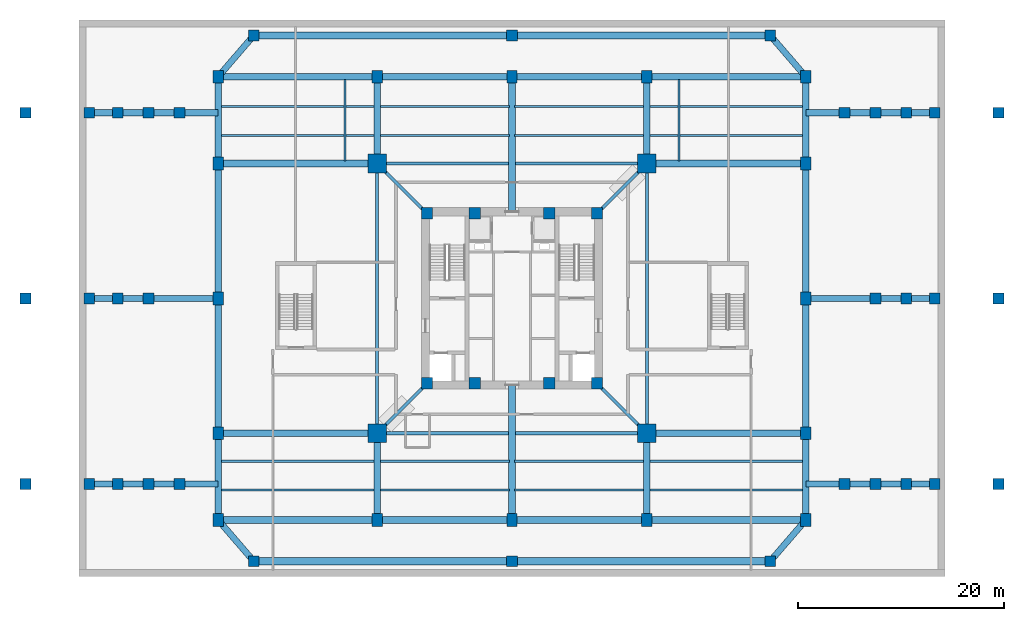
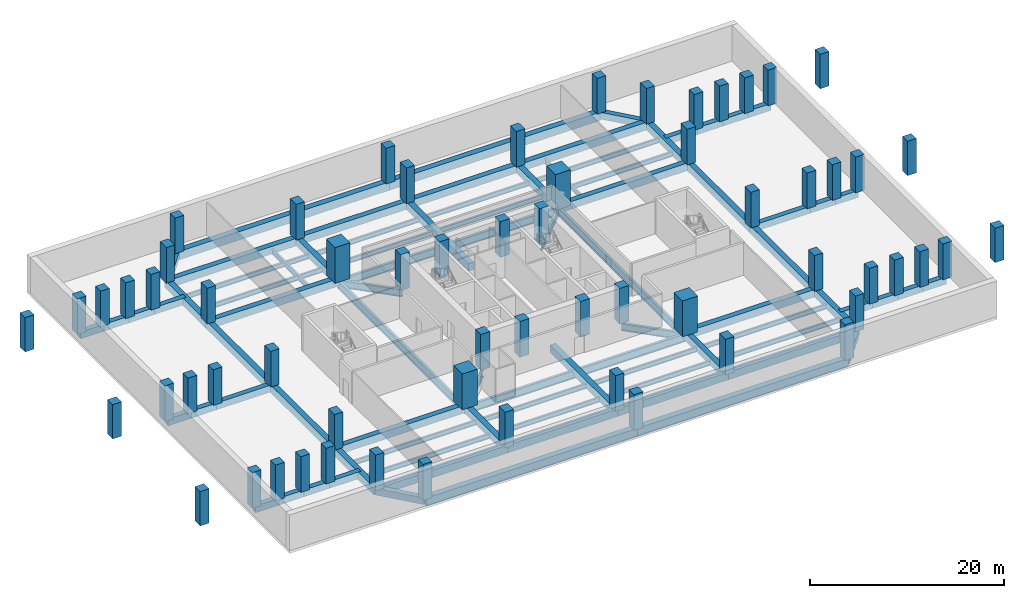
# One storey, part 1 of 9: 82 beams, 62 columns.
"""IFC4 building model written with IfcOpenShell, lengths in metres."""

from ifc_helpers import new_model, si_unit, direction, frame, origin, origin_2d, place, context, subcontext, project, spatial, rectangle, i_section, extrude, source, transform, mapped, material, material_profile, profile_set, type_object, element, save


model = new_model("IFC4")

# Units and contexts
model_context = context("Model", 3, precision=1e-05, world=origin(), true_north=direction((0.0, 1.0)))
body_context = subcontext(model_context, "Body", "Model", "MODEL_VIEW")
ifc_project = project(units=[si_unit("LENGTHUNIT", "METRE"), si_unit("AREAUNIT", "SQUARE_METRE"), si_unit("VOLUMEUNIT", "CUBIC_METRE"), si_unit("PLANEANGLEUNIT", "RADIAN"), si_unit("MASSUNIT", "GRAM", prefix="KILO"), si_unit("THERMODYNAMICTEMPERATUREUNIT", "KELVIN")], contexts=[model_context])

# Site, building, storey
site_placement = place(None, origin())
site = spatial("IfcSite", under=ifc_project, at=site_placement, CompositionType="ELEMENT")
building_placement = place(site_placement, origin())
building = spatial("IfcBuilding", under=site, at=building_placement, Name="Kosmvard Interchange Tower", CompositionType="ELEMENT")
storey_placement = place(building_placement, frame((0.0, 0.0, -4.5)))
storey = spatial("IfcBuildingStorey", under=building, at=storey_placement, Name="B01", CompositionType="ELEMENT", Elevation=-4.5)

# Columns
ifc_material_1 = material(Name="Concrete C60/75", Category="concrete")
ifc_material_profile_1 = material_profile(ifc_material_1, rectangle(XDim=1.050048828125, YDim=1.050048828125, at=origin_2d()), Name="PC 1050x1050")
ifc_profile_set_1 = profile_set([ifc_material_profile_1], Name="Concrete C60/75")
column_type_1 = type_object("IfcColumnType", Name="Podium Perimeter Column 1050x1050 C60/75", PredefinedType="COLUMN", material=ifc_profile_set_1)
shared_shape_1 = source(origin(), body_context, "Body", "SweptSolid", [
    extrude(rectangle(XDim=1.050048828125, YDim=1.050048828125, at=origin_2d()), origin(), (0.0, 0.0, 1.0), 4.5),
])
for number, where, z_axis, x_axis, name in (
    (1, (-25.050048828125, -25.5, 0.0), (0.0, 0.0, 1.0), (1.0, 0.0, 0.0), "B01 Podium Column PC-TS1"),
    (2, (0.0, -25.5, 0.0), (0.0, 0.0, 1.0), (1.0, 0.0, 0.0), "B01 Podium Column PC-TS2"),
    (3, (25.050048828125, -25.5, 0.0), (0.0, 0.0, 1.0), (1.0, 0.0, 0.0), "B01 Podium Column PC-TS3"),
    (4, (-25.050048828125, 25.5, 0.0), (0.0, 0.0, 1.0), (1.0, 0.0, 0.0), "B01 Podium Column PC-TN1"),
    (5, (0.0, 25.5, 0.0), (0.0, 0.0, 1.0), (1.0, 0.0, 0.0), "B01 Podium Column PC-TN2"),
    (6, (25.050048828125, 25.5, 0.0), (0.0, 0.0, 1.0), (1.0, 0.0, 0.0), "B01 Podium Column PC-TN3"),
    (7, (-32.25, -18.0, 0.0), (0.0, 0.0, 1.0), (1.0, 0.0, 0.0), "B01 Podium Column PC-TW3"),
    (8, (-32.25, 18.0, 0.0), (0.0, 0.0, 1.0), (1.0, 0.0, 0.0), "B01 Podium Column PC-TW4"),
    (9, (32.25, -18.0, 0.0), (0.0, 0.0, 1.0), (1.0, 0.0, 0.0), "B01 Podium Column PC-TE3"),
    (10, (32.25, 18.0, 0.0), (0.0, 0.0, 1.0), (1.0, 0.0, 0.0), "B01 Podium Column PC-TE4"),
    (11, (-35.25, -18.0, 0.0), (0.0, 0.0, 1.0), (1.0, 0.0, 0.0), "B01 Podium Column PC-TW2"),
    (12, (-35.25, 0.0, 0.0), (0.0, 0.0, 1.0), (1.0, 0.0, 0.0), "B01 Podium Column PC-TW5"),
    (13, (-35.25, 18.0, 0.0), (0.0, 0.0, 1.0), (1.0, 0.0, 0.0), "B01 Podium Column PC-TW6"),
    (14, (35.25, -18.0, 0.0), (0.0, 0.0, 1.0), (1.0, 0.0, 0.0), "B01 Podium Column PC-TE2"),
    (15, (35.25, 0.0, 0.0), (0.0, 0.0, 1.0), (1.0, 0.0, 0.0), "B01 Podium Column PC-TE5"),
    (16, (35.25, 18.0, 0.0), (0.0, 0.0, 1.0), (1.0, 0.0, 0.0), "B01 Podium Column PC-TE6"),
    (17, (-38.25, -18.0, 0.0), (0.0, 0.0, 1.0), (1.0, 0.0, 0.0), "B01 Podium Column PC-TW1"),
    (18, (-38.25, 0.0, 0.0), (0.0, 0.0, 1.0), (1.0, 0.0, 0.0), "B01 Podium Column PC-TW7"),
    (19, (-38.25, 18.0, 0.0), (0.0, 0.0, 1.0), (1.0, 0.0, 0.0), "B01 Podium Column PC-TW8"),
    (20, (38.25, -18.0, 0.0), (0.0, 0.0, 1.0), (1.0, 0.0, 0.0), "B01 Podium Column PC-TE1"),
    (21, (38.25, 0.0, 0.0), (0.0, 0.0, 1.0), (1.0, 0.0, 0.0), "B01 Podium Column PC-TE7"),
    (22, (38.25, 18.0, 0.0), (0.0, 0.0, 1.0), (1.0, 0.0, 0.0), "B01 Podium Column PC-TE8"),
    (23, (-41.0, -18.0, 0.0), (0.0, 0.0, 1.0), (1.0, 0.0, 0.0), "B01 Podium Column PC-BW1"),
    (24, (-41.0, 0.0, 0.0), (0.0, 0.0, 1.0), (1.0, 0.0, 0.0), "B01 Podium Column PC-BW2"),
    (25, (-41.0, 18.0, 0.0), (0.0, 0.0, 1.0), (1.0, 0.0, 0.0), "B01 Podium Column PC-BW3"),
    (26, (41.0, -18.0, 0.0), (0.0, 0.0, 1.0), (1.0, 0.0, 0.0), "B01 Podium Column PC-BE1"),
    (27, (41.0, 0.0, 0.0), (0.0, 0.0, 1.0), (1.0, 0.0, 0.0), "B01 Podium Column PC-BE2"),
    (28, (41.0, 18.0, 0.0), (0.0, 0.0, 1.0), (1.0, 0.0, 0.0), "B01 Podium Column PC-BE3"),
):
    element("IfcColumn", number, at=place(storey_placement, frame(where, z_axis=z_axis, x_axis=x_axis)), inside=storey, type_object=column_type_1, Name=name, PredefinedType="COLUMN", context=body_context, shape_type="MappedRepresentation", body=[
        mapped(shared_shape_1, transform((0.0, 0.0, 0.0), scale=1.0)),
    ])
ifc_material_2 = material(Name="Concrete C80/95", Category="concrete")
ifc_material_profile_2 = material_profile(ifc_material_2, rectangle(XDim=1.10009765625, YDim=1.10009765625, at=origin_2d()), Name="CP 1100x1100")
ifc_profile_set_2 = profile_set([ifc_material_profile_2], Name="Concrete C80/95")
column_type_2 = type_object("IfcColumnType", Name="Core Boundary Pilaster 1100x1100 C80/95", PredefinedType="PILASTER", material=ifc_profile_set_2)
shared_shape_2 = source(origin(), body_context, "Body", "SweptSolid", [
    extrude(rectangle(XDim=1.10009765625, YDim=1.10009765625, at=origin_2d()), origin(), (0.0, 0.0, 1.0), 4.5),
])
for number, where, z_axis, x_axis, name in (
    (29, (-8.25, -8.25, 0.0), (0.0, 0.0, 1.0), (1.0, 0.0, 0.0), "B01 Core Pilaster CP1"),
    (30, (8.25, -8.25, 0.0), (0.0, 0.0, 1.0), (1.0, 0.0, 0.0), "B01 Core Pilaster CP2"),
    (31, (8.25, 8.25, 0.0), (0.0, 0.0, 1.0), (1.0, 0.0, 0.0), "B01 Core Pilaster CP3"),
    (32, (-8.25, 8.25, 0.0), (0.0, 0.0, 1.0), (1.0, 0.0, 0.0), "B01 Core Pilaster CP4"),
    (33, (-3.60009765625, -8.25, 0.0), (0.0, 0.0, 1.0), (1.0, 0.0, 0.0), "B01 Core Pilaster CP5"),
    (34, (3.60009765625, -8.25, 0.0), (0.0, 0.0, 1.0), (1.0, 0.0, 0.0), "B01 Core Pilaster CP6"),
    (35, (-3.60009765625, 8.25, 0.0), (0.0, 0.0, 1.0), (1.0, 0.0, 0.0), "B01 Core Pilaster CP7"),
    (36, (3.60009765625, 8.25, 0.0), (0.0, 0.0, 1.0), (1.0, 0.0, 0.0), "B01 Core Pilaster CP8"),
):
    element("IfcColumn", number, at=place(storey_placement, frame(where, z_axis=z_axis, x_axis=x_axis)), inside=storey, type_object=column_type_2, Name=name, PredefinedType="PILASTER", context=body_context, shape_type="MappedRepresentation", body=[
        mapped(shared_shape_2, transform((0.0, 0.0, 0.0), scale=1.0)),
    ])
ifc_material_profile_3 = material_profile(ifc_material_2, rectangle(XDim=1.800048828125, YDim=1.800048828125, at=origin_2d()), Name="MC 1800x1800")
ifc_profile_set_3 = profile_set([ifc_material_profile_3], Name="Concrete C80/95")
column_type_3 = type_object("IfcColumnType", Name="Composite Mega-Column 1800x1800 C80/95", PredefinedType="COLUMN", material=ifc_profile_set_3)
shared_shape_3 = source(origin(), body_context, "Body", "SweptSolid", [
    extrude(rectangle(XDim=1.800048828125, YDim=1.800048828125, at=origin_2d()), origin(), (0.0, 0.0, 1.0), 4.5),
])
for number, where, z_axis, x_axis, name in (
    (37, (-13.0810546875, -13.0810546875, 0.0), (0.0, 0.0, 1.0), (1.0, 0.0, 0.0), "B01 Corner Mega-Column MC1"),
    (38, (13.0810546875, -13.0810546875, 0.0), (0.0, 0.0, 1.0), (1.0, 0.0, 0.0), "B01 Corner Mega-Column MC2"),
    (39, (13.0810546875, 13.0810546875, 0.0), (0.0, 0.0, 1.0), (1.0, 0.0, 0.0), "B01 Corner Mega-Column MC3"),
    (40, (-13.0810546875, 13.0810546875, 0.0), (0.0, 0.0, 1.0), (1.0, 0.0, 0.0), "B01 Corner Mega-Column MC4"),
):
    element("IfcColumn", number, at=place(storey_placement, frame(where, z_axis=z_axis, x_axis=x_axis)), inside=storey, type_object=column_type_3, Name=name, PredefinedType="COLUMN", context=body_context, shape_type="MappedRepresentation", body=[
        mapped(shared_shape_3, transform((0.0, 0.0, 0.0), scale=1.0)),
    ])
ifc_material_profile_4 = material_profile(ifc_material_1, rectangle(XDim=1.0, YDim=1.25, at=origin_2d()), Name="PC 1250x1000")
ifc_profile_set_4 = profile_set([ifc_material_profile_4], Name="Concrete C60/75")
column_type_4 = type_object("IfcColumnType", Name="Podium Concourse Column 1250x1000 C60/75", PredefinedType="COLUMN", material=ifc_profile_set_4)
shared_shape_4 = source(origin(), body_context, "Body", "SweptSolid", [
    extrude(rectangle(XDim=1.0, YDim=1.25, at=origin_2d()), origin(), (0.0, 0.0, 1.0), 4.5),
])
for number, where, z_axis, x_axis, name in (
    (41, (-28.5, -21.5, 0.0), (0.0, 0.0, 1.0), (1.0, 0.0, 0.0), "B01 Podium Column PC-S1"),
    (42, (-13.0810546875, -21.5, 0.0), (0.0, 0.0, 1.0), (1.0, 0.0, 0.0), "B01 Podium Column PC-S2"),
    (43, (0.0, -21.5, 0.0), (0.0, 0.0, 1.0), (1.0, 0.0, 0.0), "B01 Podium Column PC-S3"),
    (44, (13.0810546875, -21.5, 0.0), (0.0, 0.0, 1.0), (1.0, 0.0, 0.0), "B01 Podium Column PC-S4"),
    (45, (28.5, -21.5, 0.0), (0.0, 0.0, 1.0), (1.0, 0.0, 0.0), "B01 Podium Column PC-S5"),
    (46, (-28.5, 21.5, 0.0), (0.0, 0.0, 1.0), (1.0, 0.0, 0.0), "B01 Podium Column PC-N1"),
    (47, (-13.0810546875, 21.5, 0.0), (0.0, 0.0, 1.0), (1.0, 0.0, 0.0), "B01 Podium Column PC-N2"),
    (48, (0.0, 21.5, 0.0), (0.0, 0.0, 1.0), (1.0, 0.0, 0.0), "B01 Podium Column PC-N3"),
    (49, (13.0810546875, 21.5, 0.0), (0.0, 0.0, 1.0), (1.0, 0.0, 0.0), "B01 Podium Column PC-N4"),
    (50, (28.5, 21.5, 0.0), (0.0, 0.0, 1.0), (1.0, 0.0, 0.0), "B01 Podium Column PC-N5"),
    (51, (-28.5, -13.0810546875, 0.0), (0.0, 0.0, 1.0), (1.0, 0.0, 0.0), "B01 Podium Column PC-W1"),
    (52, (-28.5, 0.0, 0.0), (0.0, 0.0, 1.0), (1.0, 0.0, 0.0), "B01 Podium Column PC-W2"),
    (53, (-28.5, 13.0810546875, 0.0), (0.0, 0.0, 1.0), (1.0, 0.0, 0.0), "B01 Podium Column PC-W3"),
    (54, (28.5, -13.0810546875, 0.0), (0.0, 0.0, 1.0), (1.0, 0.0, 0.0), "B01 Podium Column PC-E1"),
    (55, (28.5, 0.0, 0.0), (0.0, 0.0, 1.0), (1.0, 0.0, 0.0), "B01 Podium Column PC-E2"),
    (56, (28.5, 13.0810546875, 0.0), (0.0, 0.0, 1.0), (1.0, 0.0, 0.0), "B01 Podium Column PC-E3"),
):
    element("IfcColumn", number, at=place(storey_placement, frame(where, z_axis=z_axis, x_axis=x_axis)), inside=storey, type_object=column_type_4, Name=name, PredefinedType="COLUMN", context=body_context, shape_type="MappedRepresentation", body=[
        mapped(shared_shape_4, transform((0.0, 0.0, 0.0), scale=1.0)),
    ])
shared_shape_5 = source(origin(), body_context, "Body", "SweptSolid", [
    extrude(rectangle(XDim=1.050048828125, YDim=1.050048828125, at=origin_2d()), origin(), (0.0, 0.0, 1.0), 4.31005859375),
])
for number, where, z_axis, x_axis, name in (
    (57, (-47.199951171875, -18.0, 0.0), (0.0, 0.0, 1.0), (1.0, 0.0, 0.0), "B01 Plaza Foundation Pier PC-PW1"),
    (58, (-47.199951171875, 0.0, 0.0), (0.0, 0.0, 1.0), (1.0, 0.0, 0.0), "B01 Plaza Foundation Pier PC-PW2"),
    (59, (-47.199951171875, 18.0, 0.0), (0.0, 0.0, 1.0), (1.0, 0.0, 0.0), "B01 Plaza Foundation Pier PC-PW3"),
    (60, (47.199951171875, -18.0, 0.0), (0.0, 0.0, 1.0), (1.0, 0.0, 0.0), "B01 Plaza Foundation Pier PC-PE1"),
    (61, (47.199951171875, 0.0, 0.0), (0.0, 0.0, 1.0), (1.0, 0.0, 0.0), "B01 Plaza Foundation Pier PC-PE2"),
    (62, (47.199951171875, 18.0, 0.0), (0.0, 0.0, 1.0), (1.0, 0.0, 0.0), "B01 Plaza Foundation Pier PC-PE3"),
):
    element("IfcColumn", number, at=place(storey_placement, frame(where, z_axis=z_axis, x_axis=x_axis)), inside=storey, type_object=column_type_1, Name=name, PredefinedType="COLUMN", context=body_context, shape_type="MappedRepresentation", body=[
        mapped(shared_shape_5, transform((0.0, 0.0, 0.0), scale=1.0)),
    ])

# Beams
ifc_material_3 = material(Name="Steel S460", Category="steel")
ifc_material_profile_5 = material_profile(ifc_material_3, i_section(OverallWidth=0.30810546875, OverallDepth=0.909912109375, WebThickness=0.02099609375, FlangeThickness=0.0400390625, FilletRadius=0.027099609375, at=origin_2d()), Name="HEM 900")
ifc_profile_set_5 = profile_set([ifc_material_profile_5], Name="Steel S460")
beam_type_1 = type_object("IfcBeamType", Name="Primary Mega-Frame Girder HEM 900 S460", PredefinedType="BEAM", material=ifc_profile_set_5)
shared_shape_6 = source(origin(), body_context, "Body", "SweptSolid", [
    extrude(i_section(OverallWidth=0.30810546875, OverallDepth=0.909912109375, WebThickness=0.02099609375, FlangeThickness=0.0400390625, FilletRadius=0.027099609375, at=origin_2d()), origin(), (0.0, 0.0, 1.0), 6.83203125),
])
for number, where, z_axis, x_axis, name in (
    (63, (-8.25, -8.25, -0.77490234375), (-0.707106781187, -0.707106781187, 0.0), (0.707106781187, -0.707106781187, 0.0), "B01 Radial Mega-Frame Girder 1"),
    (64, (8.25, -8.25, -0.77490234375), (0.707106781187, -0.707106781187, 0.0), (0.707106781187, 0.707106781187, 0.0), "B01 Radial Mega-Frame Girder 2"),
    (65, (8.25, 8.25, -0.77490234375), (0.707106781187, 0.707106781187, 0.0), (-0.707106781187, 0.707106781187, 0.0), "B01 Radial Mega-Frame Girder 3"),
    (66, (-8.25, 8.25, -0.77490234375), (-0.707106781187, 0.707106781187, 0.0), (-0.707106781187, -0.707106781187, 0.0), "B01 Radial Mega-Frame Girder 4"),
):
    element("IfcBeam", number, at=place(storey_placement, frame(where, z_axis=z_axis, x_axis=x_axis)), inside=storey, type_object=beam_type_1, Name=name, PredefinedType="BEAM", context=body_context, shape_type="MappedRepresentation", body=[
        mapped(shared_shape_6, transform((0.0, 0.0, 0.0), scale=1.0)),
    ])
ifc_material_profile_6 = material_profile(ifc_material_3, i_section(OverallWidth=0.30908203125, OverallDepth=1.008056640625, WebThickness=0.02099609375, FlangeThickness=0.0400390625, FilletRadius=0.030029296875, at=origin_2d()), Name="HEM 1000")
ifc_profile_set_6 = profile_set([ifc_material_profile_6], Name="Steel S460")
beam_type_2 = type_object("IfcBeamType", Name="Mega-Column Ring Girder HEM 1000 S460", PredefinedType="BEAM", material=ifc_profile_set_6)
shared_shape_7 = source(origin(), body_context, "Body", "SweptSolid", [
    extrude(i_section(OverallWidth=0.30908203125, OverallDepth=1.008056640625, WebThickness=0.02099609375, FlangeThickness=0.0400390625, FilletRadius=0.030029296875, at=origin_2d()), origin(), (0.0, 0.0, 1.0), 26.162109375),
])
for number, where, z_axis, x_axis, name in (
    (67, (-13.0810546875, -13.0810546875, -0.823974609375), (1.0, 0.0, 0.0), (0.0, 1.0, 0.0), "B01 Mega-Column Ring Girder 1"),
    (68, (13.0810546875, -13.0810546875, -0.823974609375), (0.0, 1.0, 0.0), (-1.0, 0.0, 0.0), "B01 Mega-Column Ring Girder 2"),
    (69, (13.0810546875, 13.0810546875, -0.823974609375), (-1.0, 0.0, 0.0), (0.0, -1.0, 0.0), "B01 Mega-Column Ring Girder 3"),
    (70, (-13.0810546875, 13.0810546875, -0.823974609375), (0.0, -1.0, 0.0), (1.0, 0.0, 0.0), "B01 Mega-Column Ring Girder 4"),
):
    element("IfcBeam", number, at=place(storey_placement, frame(where, z_axis=z_axis, x_axis=x_axis)), inside=storey, type_object=beam_type_2, Name=name, PredefinedType="BEAM", context=body_context, shape_type="MappedRepresentation", body=[
        mapped(shared_shape_7, transform((0.0, 0.0, 0.0), scale=1.0)),
    ])
ifc_material_4 = material(Name="Concrete C50/60", Category="concrete")
ifc_material_profile_7 = material_profile(ifc_material_4, rectangle(XDim=0.64990234375, YDim=0.949951171875, at=origin_2d()), Name="RCG 650x950")
ifc_profile_set_7 = profile_set([ifc_material_profile_7], Name="Concrete C50/60")
beam_type_3 = type_object("IfcBeamType", Name="Basement Mid-Span RC Girder 650x950 C50/60", PredefinedType="BEAM", material=ifc_profile_set_7)
shared_shape_8 = source(origin(), body_context, "Body", "SweptSolid", [
    extrude(rectangle(XDim=0.64990234375, YDim=0.949951171875, at=origin_2d()), origin(), (0.0, 0.0, 1.0), 15.4189453125),
])
for number, where, z_axis, x_axis, name in (
    (71, (-28.5, -21.5, -0.47509765625), (1.0, 0.0, 0.0), (0.0, 1.0, 0.0), "BM-B01-PG-S1"),
    (72, (13.0810546875, -21.5, -0.47509765625), (1.0, 0.0, 0.0), (0.0, 1.0, 0.0), "BM-B01-PG-S4"),
    (73, (-28.5, 21.5, -0.47509765625), (1.0, 0.0, 0.0), (0.0, 1.0, 0.0), "BM-B01-PG-N1"),
    (74, (13.0810546875, 21.5, -0.47509765625), (1.0, 0.0, 0.0), (0.0, 1.0, 0.0), "BM-B01-PG-N4"),
    (75, (-28.5, -13.0810546875, -0.47509765625), (1.0, 0.0, 0.0), (0.0, 1.0, 0.0), "BM-B01-PG-CW1"),
    (76, (-28.5, 13.0810546875, -0.47509765625), (1.0, 0.0, 0.0), (0.0, 1.0, 0.0), "BM-B01-PG-CW2"),
    (77, (28.5, -13.0810546875, -0.47509765625), (-1.0, 0.0, 0.0), (0.0, -1.0, 0.0), "BM-B01-PG-CE1"),
    (78, (28.5, 13.0810546875, -0.47509765625), (-1.0, 0.0, 0.0), (0.0, -1.0, 0.0), "BM-B01-PG-CE2"),
):
    element("IfcBeam", number, at=place(storey_placement, frame(where, z_axis=z_axis, x_axis=x_axis)), inside=storey, type_object=beam_type_3, Name=name, PredefinedType="BEAM", context=body_context, shape_type="MappedRepresentation", body=[
        mapped(shared_shape_8, transform((0.0, 0.0, 0.0), scale=1.0)),
    ])
shared_shape_9 = source(origin(), body_context, "Body", "SweptSolid", [
    extrude(rectangle(XDim=0.64990234375, YDim=0.949951171875, at=origin_2d()), origin(), (0.0, 0.0, 1.0), 13.0810546875),
])
for number, where, z_axis, x_axis, name in (
    (79, (-13.0810546875, -21.5, -0.47509765625), (1.0, 0.0, 0.0), (0.0, 1.0, 0.0), "BM-B01-PG-S2"),
    (80, (0.0, -21.5, -0.47509765625), (1.0, 0.0, 0.0), (0.0, 1.0, 0.0), "BM-B01-PG-S3"),
    (81, (-13.0810546875, 21.5, -0.47509765625), (1.0, 0.0, 0.0), (0.0, 1.0, 0.0), "BM-B01-PG-N2"),
    (82, (0.0, 21.5, -0.47509765625), (1.0, 0.0, 0.0), (0.0, 1.0, 0.0), "BM-B01-PG-N3"),
    (83, (-28.5, -13.0810546875, -0.47509765625), (0.0, 1.0, 0.0), (-1.0, 0.0, 0.0), "BM-B01-PG-W2"),
    (84, (-28.5, 0.0, -0.47509765625), (0.0, 1.0, 0.0), (-1.0, 0.0, 0.0), "BM-B01-PG-W3"),
    (85, (28.5, -13.0810546875, -0.47509765625), (0.0, 1.0, 0.0), (-1.0, 0.0, 0.0), "BM-B01-PG-E2"),
    (86, (28.5, 0.0, -0.47509765625), (0.0, 1.0, 0.0), (-1.0, 0.0, 0.0), "BM-B01-PG-E3"),
):
    element("IfcBeam", number, at=place(storey_placement, frame(where, z_axis=z_axis, x_axis=x_axis)), inside=storey, type_object=beam_type_3, Name=name, PredefinedType="BEAM", context=body_context, shape_type="MappedRepresentation", body=[
        mapped(shared_shape_9, transform((0.0, 0.0, 0.0), scale=1.0)),
    ])
shared_shape_10 = source(origin(), body_context, "Body", "SweptSolid", [
    extrude(rectangle(XDim=0.64990234375, YDim=0.949951171875, at=origin_2d()), origin(), (0.0, 0.0, 1.0), 8.4189453125),
])
for number, where, z_axis, x_axis, name in (
    (87, (-28.5, -21.5, -0.47509765625), (0.0, 1.0, 0.0), (-1.0, 0.0, 0.0), "BM-B01-PG-W1"),
    (88, (-28.5, 13.0810546875, -0.47509765625), (0.0, 1.0, 0.0), (-1.0, 0.0, 0.0), "BM-B01-PG-W4"),
    (89, (28.5, -21.5, -0.47509765625), (0.0, 1.0, 0.0), (-1.0, 0.0, 0.0), "BM-B01-PG-E1"),
    (90, (28.5, 13.0810546875, -0.47509765625), (0.0, 1.0, 0.0), (-1.0, 0.0, 0.0), "BM-B01-PG-E4"),
    (91, (-13.0810546875, -21.5, -0.47509765625), (0.0, 1.0, 0.0), (-1.0, 0.0, 0.0), "BM-B01-PG-CS1"),
    (92, (13.0810546875, -21.5, -0.47509765625), (0.0, 1.0, 0.0), (-1.0, 0.0, 0.0), "BM-B01-PG-CS2"),
    (93, (-13.0810546875, 21.5, -0.47509765625), (0.0, -1.0, 0.0), (1.0, 0.0, 0.0), "BM-B01-PG-CN1"),
    (94, (13.0810546875, 21.5, -0.47509765625), (0.0, -1.0, 0.0), (1.0, 0.0, 0.0), "BM-B01-PG-CN2"),
):
    element("IfcBeam", number, at=place(storey_placement, frame(where, z_axis=z_axis, x_axis=x_axis)), inside=storey, type_object=beam_type_3, Name=name, PredefinedType="BEAM", context=body_context, shape_type="MappedRepresentation", body=[
        mapped(shared_shape_10, transform((0.0, 0.0, 0.0), scale=1.0)),
    ])
shared_shape_11 = source(origin(), body_context, "Body", "SweptSolid", [
    extrude(rectangle(XDim=0.64990234375, YDim=0.949951171875, at=origin_2d()), origin(), (0.0, 0.0, 1.0), 13.10009765625),
])
for number, where, z_axis, x_axis, name in (
    (95, (0.0, -21.5, -0.47509765625), (0.0, 1.0, 0.0), (-1.0, 0.0, 0.0), "BM-B01-PG-MS"),
    (96, (0.0, 21.5, -0.47509765625), (0.0, -1.0, 0.0), (1.0, 0.0, 0.0), "BM-B01-PG-MN"),
):
    element("IfcBeam", number, at=place(storey_placement, frame(where, z_axis=z_axis, x_axis=x_axis)), inside=storey, type_object=beam_type_3, Name=name, PredefinedType="BEAM", context=body_context, shape_type="MappedRepresentation", body=[
        mapped(shared_shape_11, transform((0.0, 0.0, 0.0), scale=1.0)),
    ])
ifc_material_profile_8 = material_profile(ifc_material_4, rectangle(XDim=0.699951171875, YDim=1.050048828125, at=origin_2d()), Name="RCG 700x1050")
ifc_profile_set_8 = profile_set([ifc_material_profile_8], Name="Concrete C50/60")
beam_type_4 = type_object("IfcBeamType", Name="Basement Long-Span RC Girder 700x1050 C50/60", PredefinedType="BEAM", material=ifc_profile_set_8)
shared_shape_12 = source(origin(), body_context, "Body", "SweptSolid", [
    extrude(rectangle(XDim=0.699951171875, YDim=1.050048828125, at=origin_2d()), origin(), (0.0, 0.0, 1.0), 25.050048828125),
])
for number, where, z_axis, x_axis, name in (
    (97, (-25.050048828125, -25.5, -0.52490234375), (1.0, 0.0, 0.0), (0.0, 1.0, 0.0), "BM-B01-PG-TS1"),
    (98, (0.0, -25.5, -0.52490234375), (1.0, 0.0, 0.0), (0.0, 1.0, 0.0), "BM-B01-PG-TS2"),
    (99, (-25.050048828125, 25.5, -0.52490234375), (1.0, 0.0, 0.0), (0.0, 1.0, 0.0), "BM-B01-PG-TN1"),
    (100, (0.0, 25.5, -0.52490234375), (1.0, 0.0, 0.0), (0.0, 1.0, 0.0), "BM-B01-PG-TN2"),
):
    element("IfcBeam", number, at=place(storey_placement, frame(where, z_axis=z_axis, x_axis=x_axis)), inside=storey, type_object=beam_type_4, Name=name, PredefinedType="BEAM", context=body_context, shape_type="MappedRepresentation", body=[
        mapped(shared_shape_12, transform((0.0, 0.0, 0.0), scale=1.0)),
    ])
ifc_material_profile_9 = material_profile(ifc_material_4, rectangle(XDim=0.60009765625, YDim=0.85009765625, at=origin_2d()), Name="RCG 600x850")
ifc_profile_set_9 = profile_set([ifc_material_profile_9], Name="Concrete C50/60")
beam_type_5 = type_object("IfcBeamType", Name="Basement Primary RC Girder 600x850 C50/60", PredefinedType="BEAM", material=ifc_profile_set_9)
shared_shape_13 = source(origin(), body_context, "Body", "SweptSolid", [
    extrude(rectangle(XDim=0.60009765625, YDim=0.85009765625, at=origin_2d()), origin(), (0.0, 0.0, 1.0), 5.2822265625),
])
for number, where, z_axis, x_axis, name in (
    (101, (-25.050048828125, -25.5, -0.425048828125), (-0.653121547432, 0.757253091298, 0.0), (-0.757253091298, -0.653121547432, 0.0), "BM-B01-PG-TSL"),
    (102, (25.050048828125, -25.5, -0.425048828125), (0.653121547432, 0.757253091298, 0.0), (-0.757253091298, 0.653121547432, 0.0), "BM-B01-PG-TSR"),
    (103, (-25.050048828125, 25.5, -0.425048828125), (-0.653121547432, -0.757253091298, 0.0), (0.757253091298, -0.653121547432, 0.0), "BM-B01-PG-TNL"),
    (104, (25.050048828125, 25.5, -0.425048828125), (0.653121547432, -0.757253091298, 0.0), (0.757253091298, 0.653121547432, 0.0), "BM-B01-PG-TNR"),
):
    element("IfcBeam", number, at=place(storey_placement, frame(where, z_axis=z_axis, x_axis=x_axis)), inside=storey, type_object=beam_type_5, Name=name, PredefinedType="BEAM", context=body_context, shape_type="MappedRepresentation", body=[
        mapped(shared_shape_13, transform((0.0, 0.0, 0.0), scale=1.0)),
    ])
shared_shape_14 = source(origin(), body_context, "Body", "SweptSolid", [
    extrude(rectangle(XDim=0.60009765625, YDim=0.85009765625, at=origin_2d()), origin(), (0.0, 0.0, 1.0), 3.75),
])
for number, where, z_axis, x_axis, name in (
    (105, (-28.5, -18.0, -0.425048828125), (-1.0, 0.0, 0.0), (0.0, -1.0, 0.0), "BM-B01-PG-TCW11"),
    (106, (-28.5, 18.0, -0.425048828125), (-1.0, 0.0, 0.0), (0.0, -1.0, 0.0), "BM-B01-PG-TCW31"),
    (107, (28.5, -18.0, -0.425048828125), (1.0, 0.0, 0.0), (0.0, 1.0, 0.0), "BM-B01-PG-TCE11"),
    (108, (28.5, 18.0, -0.425048828125), (1.0, 0.0, 0.0), (0.0, 1.0, 0.0), "BM-B01-PG-TCE31"),
):
    element("IfcBeam", number, at=place(storey_placement, frame(where, z_axis=z_axis, x_axis=x_axis)), inside=storey, type_object=beam_type_5, Name=name, PredefinedType="BEAM", context=body_context, shape_type="MappedRepresentation", body=[
        mapped(shared_shape_14, transform((0.0, 0.0, 0.0), scale=1.0)),
    ])
shared_shape_15 = source(origin(), body_context, "Body", "SweptSolid", [
    extrude(rectangle(XDim=0.60009765625, YDim=0.85009765625, at=origin_2d()), origin(), (0.0, 0.0, 1.0), 3.0),
])
for number, where, z_axis, x_axis, name in (
    (109, (-32.25, -18.0, -0.425048828125), (-1.0, 0.0, 0.0), (0.0, -1.0, 0.0), "BM-B01-PG-TCW12"),
    (110, (-35.25, -18.0, -0.425048828125), (-1.0, 0.0, 0.0), (0.0, -1.0, 0.0), "BM-B01-PG-TCW13"),
    (111, (-35.25, 0.0, -0.425048828125), (-1.0, 0.0, 0.0), (0.0, -1.0, 0.0), "BM-B01-PG-TCW22"),
    (112, (-32.25, 18.0, -0.425048828125), (-1.0, 0.0, 0.0), (0.0, -1.0, 0.0), "BM-B01-PG-TCW32"),
    (113, (-35.25, 18.0, -0.425048828125), (-1.0, 0.0, 0.0), (0.0, -1.0, 0.0), "BM-B01-PG-TCW33"),
    (114, (32.25, -18.0, -0.425048828125), (1.0, 0.0, 0.0), (0.0, 1.0, 0.0), "BM-B01-PG-TCE12"),
    (115, (35.25, -18.0, -0.425048828125), (1.0, 0.0, 0.0), (0.0, 1.0, 0.0), "BM-B01-PG-TCE13"),
    (116, (35.25, 0.0, -0.425048828125), (1.0, 0.0, 0.0), (0.0, 1.0, 0.0), "BM-B01-PG-TCE22"),
    (117, (32.25, 18.0, -0.425048828125), (1.0, 0.0, 0.0), (0.0, 1.0, 0.0), "BM-B01-PG-TCE32"),
    (118, (35.25, 18.0, -0.425048828125), (1.0, 0.0, 0.0), (0.0, 1.0, 0.0), "BM-B01-PG-TCE33"),
):
    element("IfcBeam", number, at=place(storey_placement, frame(where, z_axis=z_axis, x_axis=x_axis)), inside=storey, type_object=beam_type_5, Name=name, PredefinedType="BEAM", context=body_context, shape_type="MappedRepresentation", body=[
        mapped(shared_shape_15, transform((0.0, 0.0, 0.0), scale=1.0)),
    ])
shared_shape_16 = source(origin(), body_context, "Body", "SweptSolid", [
    extrude(rectangle(XDim=0.60009765625, YDim=0.85009765625, at=origin_2d()), origin(), (0.0, 0.0, 1.0), 2.75),
])
for number, where, z_axis, x_axis, name in (
    (119, (-38.25, -18.0, -0.425048828125), (-1.0, 0.0, 0.0), (0.0, -1.0, 0.0), "BM-B01-PG-TCW14"),
    (120, (-38.25, 0.0, -0.425048828125), (-1.0, 0.0, 0.0), (0.0, -1.0, 0.0), "BM-B01-PG-TCW23"),
    (121, (-38.25, 18.0, -0.425048828125), (-1.0, 0.0, 0.0), (0.0, -1.0, 0.0), "BM-B01-PG-TCW34"),
    (122, (38.25, -18.0, -0.425048828125), (1.0, 0.0, 0.0), (0.0, 1.0, 0.0), "BM-B01-PG-TCE14"),
    (123, (38.25, 0.0, -0.425048828125), (1.0, 0.0, 0.0), (0.0, 1.0, 0.0), "BM-B01-PG-TCE23"),
    (124, (38.25, 18.0, -0.425048828125), (1.0, 0.0, 0.0), (0.0, 1.0, 0.0), "BM-B01-PG-TCE34"),
):
    element("IfcBeam", number, at=place(storey_placement, frame(where, z_axis=z_axis, x_axis=x_axis)), inside=storey, type_object=beam_type_5, Name=name, PredefinedType="BEAM", context=body_context, shape_type="MappedRepresentation", body=[
        mapped(shared_shape_16, transform((0.0, 0.0, 0.0), scale=1.0)),
    ])
shared_shape_17 = source(origin(), body_context, "Body", "SweptSolid", [
    extrude(rectangle(XDim=0.60009765625, YDim=0.85009765625, at=origin_2d()), origin(), (0.0, 0.0, 1.0), 6.75),
])
for number, where, z_axis, x_axis, name in (
    (125, (-28.5, 0.0, -0.425048828125), (-1.0, 0.0, 0.0), (0.0, -1.0, 0.0), "BM-B01-PG-TCW21"),
    (126, (28.5, 0.0, -0.425048828125), (1.0, 0.0, 0.0), (0.0, 1.0, 0.0), "BM-B01-PG-TCE21"),
):
    element("IfcBeam", number, at=place(storey_placement, frame(where, z_axis=z_axis, x_axis=x_axis)), inside=storey, type_object=beam_type_5, Name=name, PredefinedType="BEAM", context=body_context, shape_type="MappedRepresentation", body=[
        mapped(shared_shape_17, transform((0.0, 0.0, 0.0), scale=1.0)),
    ])
ifc_material_5 = material(Name="Steel S355", Category="steel")
ifc_material_profile_10 = material_profile(ifc_material_5, i_section(OverallWidth=0.219970703125, OverallDepth=0.60009765625, WebThickness=0.011962890625, FlangeThickness=0.01904296875, FilletRadius=0.02392578125, at=origin_2d()), Name="IPE 600")
ifc_profile_set_10 = profile_set([ifc_material_profile_10], Name="Steel S355")
beam_type_6 = type_object("IfcBeamType", Name="Long-Span Floor Joist IPE 600 S355", PredefinedType="JOIST", material=ifc_profile_set_10)
shared_shape_18 = source(origin(), body_context, "Body", "SweptSolid", [
    extrude(i_section(OverallWidth=0.219970703125, OverallDepth=0.60009765625, WebThickness=0.011962890625, FlangeThickness=0.01904296875, FilletRadius=0.02392578125, at=origin_2d()), origin(), (0.0, 0.0, 1.0), 14.949951171875),
])
for number, where, z_axis, x_axis, name in (
    (127, (-28.25, -18.60009765625, -0.6201171875), (1.0, 0.0, 0.0), (0.0, 1.0, 0.0), "BM-B01-PJ01"),
    (128, (13.300048828125, -18.60009765625, -0.6201171875), (1.0, 0.0, 0.0), (0.0, 1.0, 0.0), "BM-B01-PJ04"),
    (129, (-28.25, -15.800048828125, -0.6201171875), (1.0, 0.0, 0.0), (0.0, 1.0, 0.0), "BM-B01-PJ05"),
    (130, (13.300048828125, -15.800048828125, -0.6201171875), (1.0, 0.0, 0.0), (0.0, 1.0, 0.0), "BM-B01-PJ08"),
    (131, (-28.25, 15.800048828125, -0.6201171875), (1.0, 0.0, 0.0), (0.0, 1.0, 0.0), "BM-B01-PJ09"),
    (132, (13.300048828125, 15.800048828125, -0.6201171875), (1.0, 0.0, 0.0), (0.0, 1.0, 0.0), "BM-B01-PJ12"),
    (133, (-28.25, 18.60009765625, -0.6201171875), (1.0, 0.0, 0.0), (0.0, 1.0, 0.0), "BM-B01-PJ13"),
    (134, (13.300048828125, 18.60009765625, -0.6201171875), (1.0, 0.0, 0.0), (0.0, 1.0, 0.0), "BM-B01-PJ16"),
):
    element("IfcBeam", number, at=place(storey_placement, frame(where, z_axis=z_axis, x_axis=x_axis)), inside=storey, type_object=beam_type_6, Name=name, PredefinedType="JOIST", context=body_context, shape_type="MappedRepresentation", body=[
        mapped(shared_shape_18, transform((0.0, 0.0, 0.0), scale=1.0)),
    ])
shared_shape_19 = source(origin(), body_context, "Body", "SweptSolid", [
    extrude(i_section(OverallWidth=0.219970703125, OverallDepth=0.60009765625, WebThickness=0.011962890625, FlangeThickness=0.01904296875, FilletRadius=0.02392578125, at=origin_2d()), origin(), (0.0, 0.0, 1.0), 12.60009765625),
])
for number, where, z_axis, x_axis, name in (
    (135, (-12.85009765625, -18.60009765625, -0.6201171875), (1.0, 0.0, 0.0), (0.0, 1.0, 0.0), "BM-B01-PJ02"),
    (136, (0.25, -18.60009765625, -0.6201171875), (1.0, 0.0, 0.0), (0.0, 1.0, 0.0), "BM-B01-PJ03"),
    (137, (-12.85009765625, -15.800048828125, -0.6201171875), (1.0, 0.0, 0.0), (0.0, 1.0, 0.0), "BM-B01-PJ06"),
    (138, (0.25, -15.800048828125, -0.6201171875), (1.0, 0.0, 0.0), (0.0, 1.0, 0.0), "BM-B01-PJ07"),
    (139, (-12.85009765625, 15.800048828125, -0.6201171875), (1.0, 0.0, 0.0), (0.0, 1.0, 0.0), "BM-B01-PJ10"),
    (140, (0.25, 15.800048828125, -0.6201171875), (1.0, 0.0, 0.0), (0.0, 1.0, 0.0), "BM-B01-PJ11"),
    (141, (-12.85009765625, 18.60009765625, -0.6201171875), (1.0, 0.0, 0.0), (0.0, 1.0, 0.0), "BM-B01-PJ14"),
    (142, (0.25, 18.60009765625, -0.6201171875), (1.0, 0.0, 0.0), (0.0, 1.0, 0.0), "BM-B01-PJ15"),
):
    element("IfcBeam", number, at=place(storey_placement, frame(where, z_axis=z_axis, x_axis=x_axis)), inside=storey, type_object=beam_type_6, Name=name, PredefinedType="JOIST", context=body_context, shape_type="MappedRepresentation", body=[
        mapped(shared_shape_19, transform((0.0, 0.0, 0.0), scale=1.0)),
    ])
shared_shape_20 = source(origin(), body_context, "Body", "SweptSolid", [
    extrude(i_section(OverallWidth=0.219970703125, OverallDepth=0.60009765625, WebThickness=0.011962890625, FlangeThickness=0.01904296875, FilletRadius=0.02392578125, at=origin_2d()), origin(), (0.0, 0.0, 1.0), 7.949951171875),
])
for number, where, z_axis, x_axis, name in (
    (143, (-16.199951171875, 13.300048828125, -0.6201171875), (0.0, 1.0, 0.0), (-1.0, 0.0, 0.0), "BM-B01-PJ17"),
    (144, (16.199951171875, 13.300048828125, -0.6201171875), (0.0, 1.0, 0.0), (-1.0, 0.0, 0.0), "BM-B01-PJ18"),
):
    element("IfcBeam", number, at=place(storey_placement, frame(where, z_axis=z_axis, x_axis=x_axis)), inside=storey, type_object=beam_type_6, Name=name, PredefinedType="JOIST", context=body_context, shape_type="MappedRepresentation", body=[
        mapped(shared_shape_20, transform((0.0, 0.0, 0.0), scale=1.0)),
    ])

save(model, "model.ifc")
